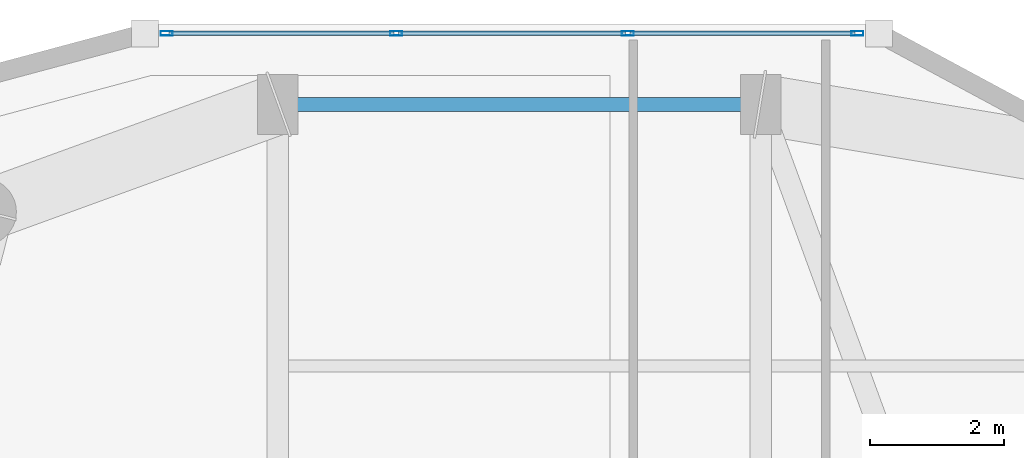
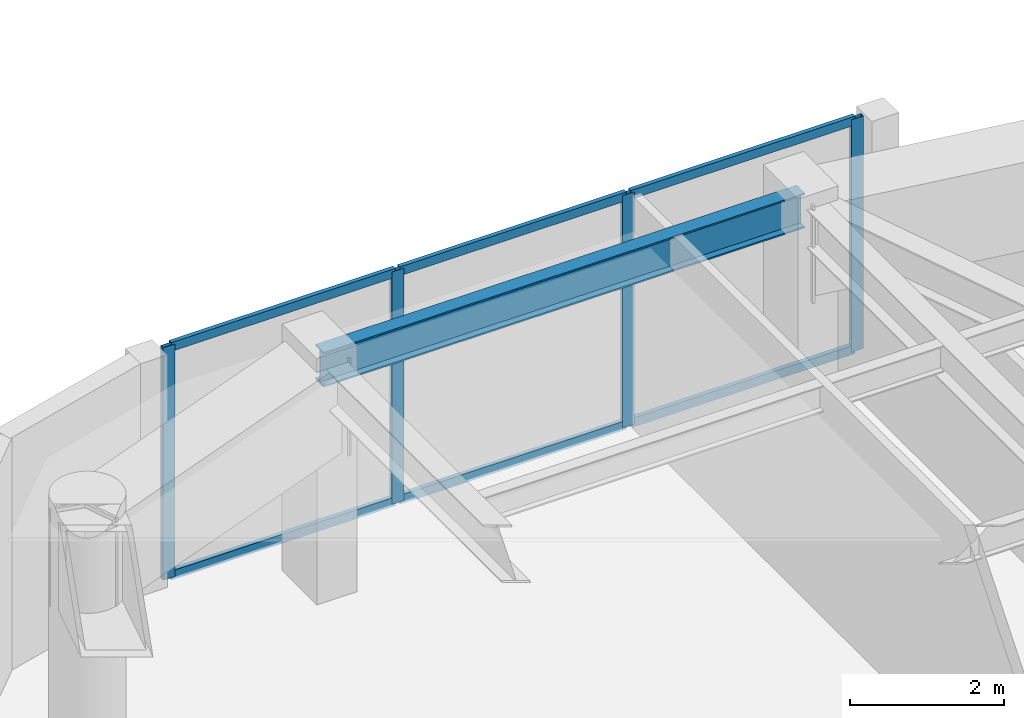
# One storey, part 10 of 21: 10 members, 1 beam, 1 element without a shape of its own.
"""IFC4 building model written with IfcOpenShell, lengths in metres."""

from ifc_helpers import new_model, si_unit, direction, frame, origin, origin_2d, place, context, subcontext, project, spatial, hollow_rectangle, i_section, extrude, material, layer, layer_set, material_profile, profile_set, type_object, element, aggregate, save


model = new_model("IFC4")

# Units and contexts
model_context = context("Model", 3, precision=1e-05, world=origin(), true_north=direction((0.0, 1.0)))
body_context = subcontext(model_context, "Body", "Model", "MODEL_VIEW")
ifc_project = project(units=[si_unit("LENGTHUNIT", "METRE"), si_unit("AREAUNIT", "SQUARE_METRE"), si_unit("VOLUMEUNIT", "CUBIC_METRE"), si_unit("PLANEANGLEUNIT", "RADIAN"), si_unit("MASSUNIT", "GRAM", prefix="KILO")], contexts=[model_context])

# Site, building, storey
site_placement = place(None, origin())
site = spatial("IfcSite", under=ifc_project, at=site_placement, CompositionType="ELEMENT")
building_placement = place(site_placement, origin())
building = spatial("IfcBuilding", under=site, at=building_placement, Name="Kiyonajd Concourse Tower", CompositionType="ELEMENT")
storey_placement = place(building_placement, frame((0.0, 0.0, 219.300048828125)))
storey = spatial("IfcBuildingStorey", under=building, at=storey_placement, Name="L55", CompositionType="ELEMENT", Elevation=219.300048828125)

# Beam
ifc_material_1 = material(Name="Steel ASTM A992 Grade 50", Category="steel")
ifc_material_profile_1 = material_profile(ifc_material_1, i_section(OverallWidth=0.214111328125, OverallDepth=0.549072265625, WebThickness=0.0146484375, FlangeThickness=0.023681640625, at=origin_2d()), Name="W530X138")
ifc_profile_set_1 = profile_set([ifc_material_profile_1], Name="Steel ASTM A992 Grade 50")
beam_type = type_object("IfcBeamType", Name="BM-SPAN-530A", PredefinedType="SPANDREL", material=ifc_profile_set_1)
beam_placement = place(storey_placement, frame((39.60009765625, 61.199951171875, 3.405517578125), z_axis=(-1.0, 0.0, 0.0), x_axis=(0.0, -1.0, 0.0)))
element("IfcBeam", 1, at=beam_placement, inside=storey, type_object=beam_type, Name="L55 Perimeter Bundled Tube Spandrel", PredefinedType="SPANDREL", context=body_context, shape_type="SweptSolid", body=[
    extrude(i_section(OverallWidth=0.214111328125, OverallDepth=0.549072265625, WebThickness=0.0146484375, FlangeThickness=0.023681640625, at=origin_2d()), origin(), (0.0, 0.0, 1.0), 7.2001953125),
])

# Curtain wall, members
ifc_material_2 = material(Name="Thermally Broken Anodised Aluminium", Category="aluminium")
ifc_layer = layer(ifc_material_2, 0.179931640625)
ifc_layer_set = layer_set([ifc_layer], Name="Thermally Broken Anodised Aluminium")
curtain_wall_type = type_object("IfcCurtainWallType", Name="CW-SYS-04", PredefinedType="NOTDEFINED", material=ifc_layer_set)
curtain_wall_placement = place(storey_placement, origin())
curtain_wall = element("IfcCurtainWall", 2, at=curtain_wall_placement, inside=storey, type_object=curtain_wall_type, Name="L55 Unitised Curtain Wall CW4", PredefinedType="NOTDEFINED")
ifc_material_profile_2 = material_profile(ifc_material_2, hollow_rectangle(XDim=0.06494140625, YDim=0.179931640625, WallThickness=0.00390625, at=origin_2d()), Name="MULL-65x180")
ifc_profile_set_2 = profile_set([ifc_material_profile_2], Name="Thermally Broken Anodised Aluminium")
member_type_1 = type_object("IfcMemberType", Name="MB-CW-MULL1", PredefinedType="MULLION", material=ifc_profile_set_2)
member_1_placement = place(storey_placement, frame((30.740966796875, 62.260009765625, 0.0), z_axis=(0.0, 0.0, 1.0), x_axis=(0.0, 1.0, 0.0)))
member_1 = element("IfcMember", 3, at=member_1_placement, type_object=member_type_1, Name="CW4 mullion 1", PredefinedType="MULLION", context=body_context, shape_type="SweptSolid", body=[
    extrude(hollow_rectangle(XDim=0.06494140625, YDim=0.179931640625, WallThickness=0.00390625, at=origin_2d()), origin(), (0.0, 0.0, 1.0), 3.679931640625),
])
member_2_placement = place(storey_placement, frame((34.163818359375, 62.260009765625, 0.0), z_axis=(0.0, 0.0, 1.0), x_axis=(0.0, 1.0, 0.0)))
member_2 = element("IfcMember", 4, at=member_2_placement, type_object=member_type_1, Name="CW4 mullion 2", PredefinedType="MULLION", context=body_context, shape_type="SweptSolid", body=[
    extrude(hollow_rectangle(XDim=0.06494140625, YDim=0.179931640625, WallThickness=0.00390625, at=origin_2d()), origin(), (0.0, 0.0, 1.0), 3.679931640625),
])
member_3_placement = place(storey_placement, frame((37.619384765625, 62.260009765625, 0.0), z_axis=(0.0, 0.0, 1.0), x_axis=(0.0, 1.0, 0.0)))
member_3 = element("IfcMember", 5, at=member_3_placement, type_object=member_type_1, Name="CW4 mullion 3", PredefinedType="MULLION", context=body_context, shape_type="SweptSolid", body=[
    extrude(hollow_rectangle(XDim=0.06494140625, YDim=0.179931640625, WallThickness=0.00390625, at=origin_2d()), origin(), (0.0, 0.0, 1.0), 3.679931640625),
])
member_4_placement = place(storey_placement, frame((41.042236328125, 62.260009765625, 0.0), z_axis=(0.0, 0.0, 1.0), x_axis=(0.0, 1.0, 0.0)))
member_4 = element("IfcMember", 6, at=member_4_placement, type_object=member_type_1, Name="CW4 mullion 4", PredefinedType="MULLION", context=body_context, shape_type="SweptSolid", body=[
    extrude(hollow_rectangle(XDim=0.06494140625, YDim=0.179931640625, WallThickness=0.00390625, at=origin_2d()), origin(), (0.0, 0.0, 1.0), 3.679931640625),
])
ifc_material_profile_3 = material_profile(ifc_material_2, hollow_rectangle(XDim=0.06494140625, YDim=0.139892578125, WallThickness=0.00390625, at=origin_2d()), Name="TRAN-65x140")
ifc_profile_set_3 = profile_set([ifc_material_profile_3], Name="Thermally Broken Anodised Aluminium")
member_type_2 = type_object("IfcMemberType", Name="MB-CW-TRAN1", PredefinedType="USERDEFINED", material=ifc_profile_set_3)
member_5_placement = place(storey_placement, frame((30.7734375, 62.260009765625, 0.032470703125), z_axis=(1.0, 0.0, 0.0), x_axis=(0.0, 1.0, 0.0)))
member_5 = element("IfcMember", 7, at=member_5_placement, type_object=member_type_2, Name="CW4 transom 1.1", ObjectType="TRANSOM", PredefinedType="USERDEFINED", context=body_context, shape_type="SweptSolid", body=[
    extrude(hollow_rectangle(XDim=0.06494140625, YDim=0.139892578125, WallThickness=0.00390625, at=origin_2d()), origin(), (0.0, 0.0, 1.0), 3.35791015625),
])
member_6_placement = place(storey_placement, frame((30.7734375, 62.260009765625, 3.6474609375), z_axis=(1.0, 0.0, 0.0), x_axis=(0.0, 1.0, 0.0)))
member_6 = element("IfcMember", 8, at=member_6_placement, type_object=member_type_2, Name="CW4 transom 1.2", ObjectType="TRANSOM", PredefinedType="USERDEFINED", context=body_context, shape_type="SweptSolid", body=[
    extrude(hollow_rectangle(XDim=0.06494140625, YDim=0.139892578125, WallThickness=0.00390625, at=origin_2d()), origin(), (0.0, 0.0, 1.0), 3.35791015625),
])
member_7_placement = place(storey_placement, frame((34.1962890625, 62.260009765625, 0.032470703125), z_axis=(1.0, 0.0, 0.0), x_axis=(0.0, 1.0, 0.0)))
member_7 = element("IfcMember", 9, at=member_7_placement, type_object=member_type_2, Name="CW4 transom 2.1", ObjectType="TRANSOM", PredefinedType="USERDEFINED", context=body_context, shape_type="SweptSolid", body=[
    extrude(hollow_rectangle(XDim=0.06494140625, YDim=0.139892578125, WallThickness=0.00390625, at=origin_2d()), origin(), (0.0, 0.0, 1.0), 3.390380859375),
])
member_8_placement = place(storey_placement, frame((34.1962890625, 62.260009765625, 3.6474609375), z_axis=(1.0, 0.0, 0.0), x_axis=(0.0, 1.0, 0.0)))
member_8 = element("IfcMember", 10, at=member_8_placement, type_object=member_type_2, Name="CW4 transom 2.2", ObjectType="TRANSOM", PredefinedType="USERDEFINED", context=body_context, shape_type="SweptSolid", body=[
    extrude(hollow_rectangle(XDim=0.06494140625, YDim=0.139892578125, WallThickness=0.00390625, at=origin_2d()), origin(), (0.0, 0.0, 1.0), 3.390380859375),
])
member_9_placement = place(storey_placement, frame((37.65185546875, 62.260009765625, 0.032470703125), z_axis=(1.0, 0.0, 0.0), x_axis=(0.0, 1.0, 0.0)))
member_9 = element("IfcMember", 11, at=member_9_placement, type_object=member_type_2, Name="CW4 transom 3.1", ObjectType="TRANSOM", PredefinedType="USERDEFINED", context=body_context, shape_type="SweptSolid", body=[
    extrude(hollow_rectangle(XDim=0.06494140625, YDim=0.139892578125, WallThickness=0.00390625, at=origin_2d()), origin(), (0.0, 0.0, 1.0), 3.35791015625),
])
member_10_placement = place(storey_placement, frame((37.65185546875, 62.260009765625, 3.6474609375), z_axis=(1.0, 0.0, 0.0), x_axis=(0.0, 1.0, 0.0)))
member_10 = element("IfcMember", 12, at=member_10_placement, type_object=member_type_2, Name="CW4 transom 3.2", ObjectType="TRANSOM", PredefinedType="USERDEFINED", context=body_context, shape_type="SweptSolid", body=[
    extrude(hollow_rectangle(XDim=0.06494140625, YDim=0.139892578125, WallThickness=0.00390625, at=origin_2d()), origin(), (0.0, 0.0, 1.0), 3.35791015625),
])
aggregate(curtain_wall, [member_1, member_2, member_3, member_4, member_5, member_6, member_7, member_8, member_9, member_10])

save(model, "model.ifc")
